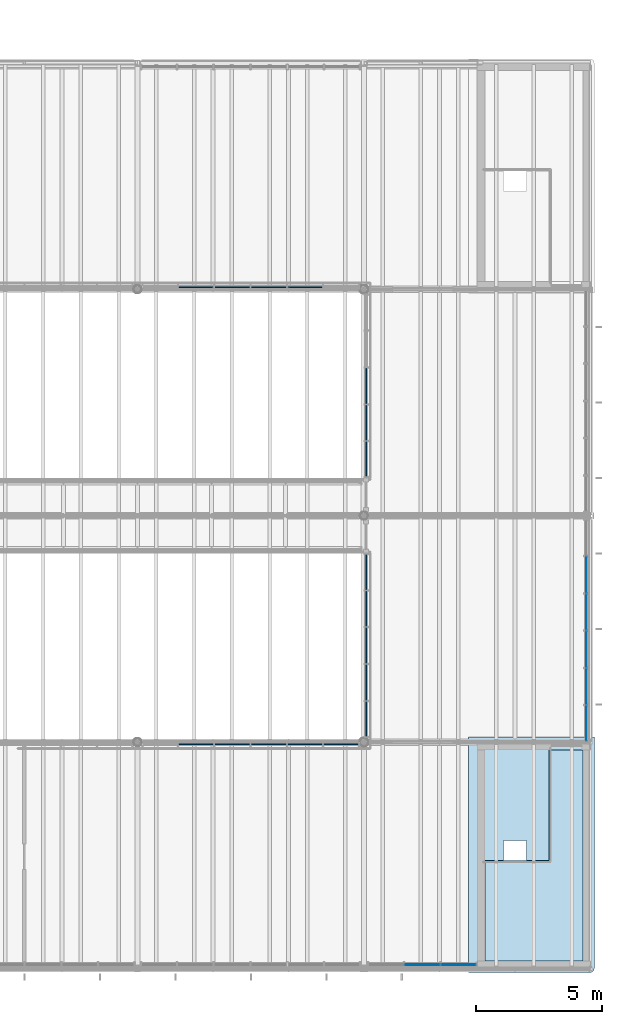
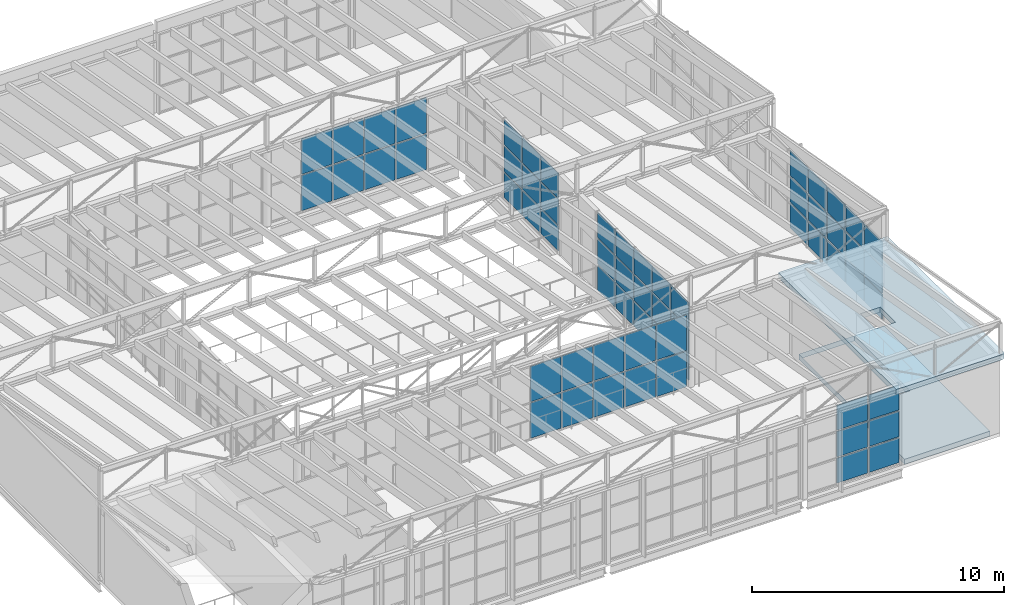
# One storey, part 32 of 44: 63 plates, 2 slabs, 6 elements without a shape of their own.
"""IFC4 building model written with IfcOpenShell, lengths in metres."""

from ifc_helpers import new_model, si_unit, direction, frame, origin, origin_2d, place, context, subcontext, project, spatial, polyline, rectangle, outline, extrude, material, layer, layer_set, type_object, element, aggregate, save


model = new_model("IFC4")

# Units and contexts
model_context = context("Model", 3, precision=1e-05, world=origin(), true_north=direction((0.0, 1.0)))
body_context = subcontext(model_context, "Body", "Model", "MODEL_VIEW")
ifc_project = project(units=[si_unit("LENGTHUNIT", "METRE"), si_unit("AREAUNIT", "SQUARE_METRE"), si_unit("VOLUMEUNIT", "CUBIC_METRE"), si_unit("PLANEANGLEUNIT", "RADIAN"), si_unit("MASSUNIT", "GRAM", prefix="KILO")], contexts=[model_context])

# Site, building, storey
site_placement = place(None, origin())
site = spatial("IfcSite", under=ifc_project, at=site_placement, CompositionType="ELEMENT")
building_placement = place(site_placement, origin())
building = spatial("IfcBuilding", under=site, at=building_placement, Name="Halyard Row Museum", CompositionType="ELEMENT")
storey_placement = place(building_placement, frame((0.0, 0.0, 21.199951171875)))
storey = spatial("IfcBuildingStorey", under=building, at=storey_placement, Name="L04", CompositionType="ELEMENT", Elevation=21.199951171875)

# Slabs
ifc_material_1 = material(Name="Concrete 40 MPa", Category="concrete")
ifc_layer_1 = layer(ifc_material_1, 0.25)
ifc_layer_set_1 = layer_set([ifc_layer_1], Name="Concrete 40 MPa")
slab_type_1 = type_object("IfcSlabType", Name="Core floor slab 250", PredefinedType="FLOOR", material=ifc_layer_set_1)
slab_1_placement = place(storey_placement, frame((0.0, 0.0, -0.25)))
element("IfcSlab", 1, at=slab_1_placement, inside=storey, type_object=slab_type_1, Name="Core floor K2B L04", PredefinedType="FLOOR", context=body_context, shape_type="SweptSolid", body=[
    extrude(outline(polyline([(107.699951171875, 8.699951171875), (103.800048828125, 8.699951171875), (103.800048828125, 0.300048828125), (107.699951171875, 0.300048828125), (107.699951171875, 8.699951171875)]), holes=[polyline([(106.346923828125, 8.697021484375), (106.346923828125, 4.302978515625), (103.802978515625, 4.302978515625), (103.802978515625, 8.697021484375), (106.346923828125, 8.697021484375)])]), origin(), (0.0, 0.0, 1.0), 0.25),
])
ifc_material_2 = material(Name="Concrete 40 MPa", Category="concrete")
ifc_layer_2 = layer(ifc_material_2, 0.25)
ifc_layer_set_2 = layer_set([ifc_layer_2], Name="Concrete 40 MPa")
slab_type_2 = type_object("IfcSlabType", Name="Core roof slab 250 reinforced concrete", PredefinedType="ROOF", material=ifc_layer_set_2)
slab_2_placement = place(storey_placement, frame((0.0, 0.0, 3.628173828125)))
element("IfcSlab", 2, at=slab_2_placement, inside=storey, type_object=slab_type_2, Name="Core roof K2B", PredefinedType="ROOF", context=body_context, shape_type="SweptSolid", body=[
    extrude(outline(polyline([(103.14990234375, 9.199951171875), (108.14990234375, 9.199951171875), (108.14990234375, 0.0), (108.149169921875, -0.0146484375), (108.147216796875, -0.029296875), (108.1435546875, -0.04345703125), (108.138671875, -0.057373046875), (108.13232421875, -0.07080078125), (108.124755859375, -0.083251953125), (108.115966796875, -0.09521484375), (108.10595703125, -0.10595703125), (108.09521484375, -0.115966796875), (108.083251953125, -0.124755859375), (108.07080078125, -0.13232421875), (108.057373046875, -0.138671875), (108.04345703125, -0.1435546875), (108.029296875, -0.147216796875), (108.0146484375, -0.149169921875), (108.0, -0.14990234375), (103.14990234375, -0.14990234375), (103.14990234375, 9.199951171875)]), holes=[polyline([(104.550048828125, 3.89990234375), (105.449951171875, 3.89990234375), (105.449951171875, 5.10009765625), (104.550048828125, 5.10009765625), (104.550048828125, 3.89990234375)])]), origin(), (0.0, 0.0, 1.0), 0.25),
])

# Curtain wall, plates
ifc_material_3 = material(Name="Double glazed unit, low-emissivity", Category="glass")
ifc_layer_3 = layer(ifc_material_3, 0.219970703125)
ifc_layer_set_3 = layer_set([ifc_layer_3], Name="Double glazed unit, low-emissivity")
curtain_wall_type_1 = type_object("IfcCurtainWallType", Name="Curtain wall unitised 220 deep", PredefinedType="NOTDEFINED", material=ifc_layer_set_3)
curtain_wall_1_placement = place(storey_placement, origin())
curtain_wall_1 = element("IfcCurtainWall", 3, at=curtain_wall_1_placement, inside=storey, type_object=curtain_wall_type_1, Name="Curtain wall CW058", PredefinedType="NOTDEFINED")
ifc_material_4 = material(Name="Double glazed unit, low-emissivity", Category="glass")
ifc_layer_4 = layer(ifc_material_4, 0.035888671875)
ifc_layer_set_4 = layer_set([ifc_layer_4], Name="Double glazed unit, low-emissivity")
plate_type_1 = type_object("IfcPlateType", Name="Curtain wall glazed panel CP3 36", PredefinedType="CURTAIN_PANEL", material=ifc_layer_set_4)
plate_1_placement = place(storey_placement, frame((101.3125, 0.159912109375, 0.06005859375), z_axis=(0.0, 0.0, 1.0), x_axis=(1.0, 0.0, 0.0)))
plate_1 = element("IfcPlate", 4, at=plate_1_placement, type_object=plate_type_1, Name="CW058 panel 2.1", PredefinedType="CURTAIN_PANEL", context=body_context, shape_type="SweptSolid", body=[
    extrude(rectangle(XDim=1.3984375, YDim=0.035888671875, at=origin_2d()), origin(), (0.0, 0.0, 1.0), 1.20263671875),
])
plate_2_placement = place(storey_placement, frame((101.3125, 0.159912109375, 1.32275390625), z_axis=(0.0, 0.0, 1.0), x_axis=(1.0, 0.0, 0.0)))
plate_2 = element("IfcPlate", 5, at=plate_2_placement, type_object=plate_type_1, Name="CW058 panel 2.2", PredefinedType="CURTAIN_PANEL", context=body_context, shape_type="SweptSolid", body=[
    extrude(rectangle(XDim=1.3984375, YDim=0.035888671875, at=origin_2d()), origin(), (0.0, 0.0, 1.0), 1.232666015625),
])
plate_3_placement = place(storey_placement, frame((101.3125, 0.159912109375, 2.615478515625), z_axis=(0.0, 0.0, 1.0), x_axis=(1.0, 0.0, 0.0)))
plate_3 = element("IfcPlate", 6, at=plate_3_placement, type_object=plate_type_1, Name="CW058 panel 2.3", PredefinedType="CURTAIN_PANEL", context=body_context, shape_type="SweptSolid", body=[
    extrude(rectangle(XDim=1.3984375, YDim=0.035888671875, at=origin_2d()), origin(), (0.0, 0.0, 1.0), 1.20263671875),
])
plate_4_placement = place(storey_placement, frame((102.755859375, 0.159912109375, 0.06005859375), z_axis=(0.0, 0.0, 1.0), x_axis=(1.0, 0.0, 0.0)))
plate_4 = element("IfcPlate", 7, at=plate_4_placement, type_object=plate_type_1, Name="CW058 panel 3.1", PredefinedType="CURTAIN_PANEL", context=body_context, shape_type="SweptSolid", body=[
    extrude(rectangle(XDim=1.368408203125, YDim=0.035888671875, at=origin_2d()), origin(), (0.0, 0.0, 1.0), 1.20263671875),
])
plate_5_placement = place(storey_placement, frame((102.755859375, 0.159912109375, 1.32275390625), z_axis=(0.0, 0.0, 1.0), x_axis=(1.0, 0.0, 0.0)))
plate_5 = element("IfcPlate", 8, at=plate_5_placement, type_object=plate_type_1, Name="CW058 panel 3.2", PredefinedType="CURTAIN_PANEL", context=body_context, shape_type="SweptSolid", body=[
    extrude(rectangle(XDim=1.368408203125, YDim=0.035888671875, at=origin_2d()), origin(), (0.0, 0.0, 1.0), 1.232666015625),
])
plate_6_placement = place(storey_placement, frame((102.755859375, 0.159912109375, 2.615478515625), z_axis=(0.0, 0.0, 1.0), x_axis=(1.0, 0.0, 0.0)))
plate_6 = element("IfcPlate", 9, at=plate_6_placement, type_object=plate_type_1, Name="CW058 panel 3.3", PredefinedType="CURTAIN_PANEL", context=body_context, shape_type="SweptSolid", body=[
    extrude(rectangle(XDim=1.368408203125, YDim=0.035888671875, at=origin_2d()), origin(), (0.0, 0.0, 1.0), 1.20263671875),
])
aggregate(curtain_wall_1, [plate_1, plate_2, plate_3, plate_4, plate_5, plate_6])

curtain_wall_2_placement = place(storey_placement, origin())
curtain_wall_2 = element("IfcCurtainWall", 10, at=curtain_wall_2_placement, inside=storey, type_object=curtain_wall_type_1, Name="Curtain wall CW059", PredefinedType="NOTDEFINED")
plate_7_placement = place(storey_placement, frame((107.840087890625, 9.754638671875, 0.06005859375), z_axis=(0.0, 0.0, 1.0), x_axis=(0.0, 1.0, 0.0)))
plate_7 = element("IfcPlate", 11, at=plate_7_placement, type_object=plate_type_1, Name="CW059 panel 1.1", PredefinedType="CURTAIN_PANEL", context=body_context, shape_type="SweptSolid", body=[
    extrude(rectangle(XDim=1.38916015625, YDim=0.035888671875, at=origin_2d()), origin(), (0.0, 0.0, 1.0), 1.20263671875),
])
plate_8_placement = place(storey_placement, frame((107.840087890625, 9.754638671875, 1.32275390625), z_axis=(0.0, 0.0, 1.0), x_axis=(0.0, 1.0, 0.0)))
plate_8 = element("IfcPlate", 12, at=plate_8_placement, type_object=plate_type_1, Name="CW059 panel 1.2", PredefinedType="CURTAIN_PANEL", context=body_context, shape_type="SweptSolid", body=[
    extrude(rectangle(XDim=1.38916015625, YDim=0.035888671875, at=origin_2d()), origin(), (0.0, 0.0, 1.0), 1.232666015625),
])
plate_9_placement = place(storey_placement, frame((107.840087890625, 9.754638671875, 2.615478515625), z_axis=(0.0, 0.0, 1.0), x_axis=(0.0, 1.0, 0.0)))
plate_9 = element("IfcPlate", 13, at=plate_9_placement, type_object=plate_type_1, Name="CW059 panel 1.3", PredefinedType="CURTAIN_PANEL", context=body_context, shape_type="SweptSolid", body=[
    extrude(rectangle(XDim=1.38916015625, YDim=0.035888671875, at=origin_2d()), origin(), (0.0, 0.0, 1.0), 1.20263671875),
])
plate_10_placement = place(storey_placement, frame((107.840087890625, 11.21875, 0.06005859375), z_axis=(0.0, 0.0, 1.0), x_axis=(0.0, 1.0, 0.0)))
plate_10 = element("IfcPlate", 14, at=plate_10_placement, type_object=plate_type_1, Name="CW059 panel 2.1", PredefinedType="CURTAIN_PANEL", context=body_context, shape_type="SweptSolid", body=[
    extrude(rectangle(XDim=1.419189453125, YDim=0.035888671875, at=origin_2d()), origin(), (0.0, 0.0, 1.0), 1.20263671875),
])
plate_11_placement = place(storey_placement, frame((107.840087890625, 11.21875, 1.32275390625), z_axis=(0.0, 0.0, 1.0), x_axis=(0.0, 1.0, 0.0)))
plate_11 = element("IfcPlate", 15, at=plate_11_placement, type_object=plate_type_1, Name="CW059 panel 2.2", PredefinedType="CURTAIN_PANEL", context=body_context, shape_type="SweptSolid", body=[
    extrude(rectangle(XDim=1.419189453125, YDim=0.035888671875, at=origin_2d()), origin(), (0.0, 0.0, 1.0), 1.232666015625),
])
plate_12_placement = place(storey_placement, frame((107.840087890625, 11.21875, 2.615478515625), z_axis=(0.0, 0.0, 1.0), x_axis=(0.0, 1.0, 0.0)))
plate_12 = element("IfcPlate", 16, at=plate_12_placement, type_object=plate_type_1, Name="CW059 panel 2.3", PredefinedType="CURTAIN_PANEL", context=body_context, shape_type="SweptSolid", body=[
    extrude(rectangle(XDim=1.419189453125, YDim=0.035888671875, at=origin_2d()), origin(), (0.0, 0.0, 1.0), 1.20263671875),
])
plate_13_placement = place(storey_placement, frame((107.840087890625, 12.697998046875, 0.06005859375), z_axis=(0.0, 0.0, 1.0), x_axis=(0.0, 1.0, 0.0)))
plate_13 = element("IfcPlate", 17, at=plate_13_placement, type_object=plate_type_1, Name="CW059 panel 3.1", PredefinedType="CURTAIN_PANEL", context=body_context, shape_type="SweptSolid", body=[
    extrude(rectangle(XDim=1.419189453125, YDim=0.035888671875, at=origin_2d()), origin(), (0.0, 0.0, 1.0), 1.20263671875),
])
plate_14_placement = place(storey_placement, frame((107.840087890625, 12.697998046875, 1.32275390625), z_axis=(0.0, 0.0, 1.0), x_axis=(0.0, 1.0, 0.0)))
plate_14 = element("IfcPlate", 18, at=plate_14_placement, type_object=plate_type_1, Name="CW059 panel 3.2", PredefinedType="CURTAIN_PANEL", context=body_context, shape_type="SweptSolid", body=[
    extrude(rectangle(XDim=1.419189453125, YDim=0.035888671875, at=origin_2d()), origin(), (0.0, 0.0, 1.0), 1.232666015625),
])
plate_15_placement = place(storey_placement, frame((107.840087890625, 12.697998046875, 2.615478515625), z_axis=(0.0, 0.0, 1.0), x_axis=(0.0, 1.0, 0.0)))
plate_15 = element("IfcPlate", 19, at=plate_15_placement, type_object=plate_type_1, Name="CW059 panel 3.3", PredefinedType="CURTAIN_PANEL", context=body_context, shape_type="SweptSolid", body=[
    extrude(rectangle(XDim=1.419189453125, YDim=0.035888671875, at=origin_2d()), origin(), (0.0, 0.0, 1.0), 1.20263671875),
])
plate_16_placement = place(storey_placement, frame((107.840087890625, 14.177001953125, 0.06005859375), z_axis=(0.0, 0.0, 1.0), x_axis=(0.0, 1.0, 0.0)))
plate_16 = element("IfcPlate", 20, at=plate_16_placement, type_object=plate_type_1, Name="CW059 panel 4.1", PredefinedType="CURTAIN_PANEL", context=body_context, shape_type="SweptSolid", body=[
    extrude(rectangle(XDim=1.419189453125, YDim=0.035888671875, at=origin_2d()), origin(), (0.0, 0.0, 1.0), 1.20263671875),
])
plate_17_placement = place(storey_placement, frame((107.840087890625, 14.177001953125, 1.32275390625), z_axis=(0.0, 0.0, 1.0), x_axis=(0.0, 1.0, 0.0)))
plate_17 = element("IfcPlate", 21, at=plate_17_placement, type_object=plate_type_1, Name="CW059 panel 4.2", PredefinedType="CURTAIN_PANEL", context=body_context, shape_type="SweptSolid", body=[
    extrude(rectangle(XDim=1.419189453125, YDim=0.035888671875, at=origin_2d()), origin(), (0.0, 0.0, 1.0), 1.232666015625),
])
plate_18_placement = place(storey_placement, frame((107.840087890625, 14.177001953125, 2.615478515625), z_axis=(0.0, 0.0, 1.0), x_axis=(0.0, 1.0, 0.0)))
plate_18 = element("IfcPlate", 22, at=plate_18_placement, type_object=plate_type_1, Name="CW059 panel 4.3", PredefinedType="CURTAIN_PANEL", context=body_context, shape_type="SweptSolid", body=[
    extrude(rectangle(XDim=1.419189453125, YDim=0.035888671875, at=origin_2d()), origin(), (0.0, 0.0, 1.0), 1.20263671875),
])
plate_19_placement = place(storey_placement, frame((107.840087890625, 15.65625, 0.06005859375), z_axis=(0.0, 0.0, 1.0), x_axis=(0.0, 1.0, 0.0)))
plate_19 = element("IfcPlate", 23, at=plate_19_placement, type_object=plate_type_1, Name="CW059 panel 5.1", PredefinedType="CURTAIN_PANEL", context=body_context, shape_type="SweptSolid", body=[
    extrude(rectangle(XDim=1.419189453125, YDim=0.035888671875, at=origin_2d()), origin(), (0.0, 0.0, 1.0), 1.20263671875),
])
plate_20_placement = place(storey_placement, frame((107.840087890625, 15.65625, 1.32275390625), z_axis=(0.0, 0.0, 1.0), x_axis=(0.0, 1.0, 0.0)))
plate_20 = element("IfcPlate", 24, at=plate_20_placement, type_object=plate_type_1, Name="CW059 panel 5.2", PredefinedType="CURTAIN_PANEL", context=body_context, shape_type="SweptSolid", body=[
    extrude(rectangle(XDim=1.419189453125, YDim=0.035888671875, at=origin_2d()), origin(), (0.0, 0.0, 1.0), 1.232666015625),
])
plate_21_placement = place(storey_placement, frame((107.840087890625, 15.65625, 2.615478515625), z_axis=(0.0, 0.0, 1.0), x_axis=(0.0, 1.0, 0.0)))
plate_21 = element("IfcPlate", 25, at=plate_21_placement, type_object=plate_type_1, Name="CW059 panel 5.3", PredefinedType="CURTAIN_PANEL", context=body_context, shape_type="SweptSolid", body=[
    extrude(rectangle(XDim=1.419189453125, YDim=0.035888671875, at=origin_2d()), origin(), (0.0, 0.0, 1.0), 1.20263671875),
])
aggregate(curtain_wall_2, [plate_7, plate_8, plate_9, plate_10, plate_11, plate_12, plate_13, plate_14, plate_15, plate_16, plate_17, plate_18, plate_19, plate_20, plate_21])

ifc_material_5 = material(Name="Fire-resisting laminated glazing", Category="glass")
ifc_layer_5 = layer(ifc_material_5, 0.159912109375)
ifc_layer_set_5 = layer_set([ifc_layer_5], Name="Fire-resisting laminated glazing")
curtain_wall_type_2 = type_object("IfcCurtainWallType", Name="Curtain wall atrium screen 160 deep", PredefinedType="NOTDEFINED", material=ifc_layer_set_5)
curtain_wall_3_placement = place(storey_placement, origin())
curtain_wall_3 = element("IfcCurtainWall", 26, at=curtain_wall_3_placement, inside=storey, type_object=curtain_wall_type_2, Name="Curtain wall CW103", PredefinedType="NOTDEFINED")
ifc_material_6 = material(Name="Fire-resisting laminated glazing", Category="glass")
ifc_layer_6 = layer(ifc_material_6, 0.0400390625)
ifc_layer_set_6 = layer_set([ifc_layer_6], Name="Fire-resisting laminated glazing")
plate_type_2 = type_object("IfcPlateType", Name="Curtain wall glazed panel CP5 40", PredefinedType="CURTAIN_PANEL", material=ifc_layer_set_6)
plate_22_placement = place(storey_placement, frame((92.326904296875, 8.919921875, 0.06005859375), z_axis=(0.0, 0.0, 1.0), x_axis=(1.0, 0.0, 0.0)))
plate_22 = element("IfcPlate", 27, at=plate_22_placement, type_object=plate_type_2, Name="CW103 panel 2.1", PredefinedType="CURTAIN_PANEL", context=body_context, shape_type="SweptSolid", body=[
    extrude(rectangle(XDim=1.38330078125, YDim=0.0400390625, at=origin_2d()), origin(), (0.0, 0.0, 1.0), 1.7099609375),
])
plate_23_placement = place(storey_placement, frame((92.326904296875, 8.919921875, 1.830078125), z_axis=(0.0, 0.0, 1.0), x_axis=(1.0, 0.0, 0.0)))
plate_23 = element("IfcPlate", 28, at=plate_23_placement, type_object=plate_type_2, Name="CW103 panel 2.2", PredefinedType="CURTAIN_PANEL", context=body_context, shape_type="SweptSolid", body=[
    extrude(rectangle(XDim=1.38330078125, YDim=0.0400390625, at=origin_2d()), origin(), (0.0, 0.0, 1.0), 1.7099609375),
])
plate_24_placement = place(storey_placement, frame((93.7705078125, 8.919921875, 0.06005859375), z_axis=(0.0, 0.0, 1.0), x_axis=(1.0, 0.0, 0.0)))
plate_24 = element("IfcPlate", 29, at=plate_24_placement, type_object=plate_type_2, Name="CW103 panel 3.1", PredefinedType="CURTAIN_PANEL", context=body_context, shape_type="SweptSolid", body=[
    extrude(rectangle(XDim=1.38330078125, YDim=0.0400390625, at=origin_2d()), origin(), (0.0, 0.0, 1.0), 1.7099609375),
])
plate_25_placement = place(storey_placement, frame((93.7705078125, 8.919921875, 1.830078125), z_axis=(0.0, 0.0, 1.0), x_axis=(1.0, 0.0, 0.0)))
plate_25 = element("IfcPlate", 30, at=plate_25_placement, type_object=plate_type_2, Name="CW103 panel 3.2", PredefinedType="CURTAIN_PANEL", context=body_context, shape_type="SweptSolid", body=[
    extrude(rectangle(XDim=1.38330078125, YDim=0.0400390625, at=origin_2d()), origin(), (0.0, 0.0, 1.0), 1.7099609375),
])
plate_26_placement = place(storey_placement, frame((95.2138671875, 8.919921875, 0.06005859375), z_axis=(0.0, 0.0, 1.0), x_axis=(1.0, 0.0, 0.0)))
plate_26 = element("IfcPlate", 31, at=plate_26_placement, type_object=plate_type_2, Name="CW103 panel 4.1", PredefinedType="CURTAIN_PANEL", context=body_context, shape_type="SweptSolid", body=[
    extrude(rectangle(XDim=1.38330078125, YDim=0.0400390625, at=origin_2d()), origin(), (0.0, 0.0, 1.0), 1.7099609375),
])
plate_27_placement = place(storey_placement, frame((95.2138671875, 8.919921875, 1.830078125), z_axis=(0.0, 0.0, 1.0), x_axis=(1.0, 0.0, 0.0)))
plate_27 = element("IfcPlate", 32, at=plate_27_placement, type_object=plate_type_2, Name="CW103 panel 4.2", PredefinedType="CURTAIN_PANEL", context=body_context, shape_type="SweptSolid", body=[
    extrude(rectangle(XDim=1.38330078125, YDim=0.0400390625, at=origin_2d()), origin(), (0.0, 0.0, 1.0), 1.7099609375),
])
plate_28_placement = place(storey_placement, frame((96.6572265625, 8.919921875, 0.06005859375), z_axis=(0.0, 0.0, 1.0), x_axis=(1.0, 0.0, 0.0)))
plate_28 = element("IfcPlate", 33, at=plate_28_placement, type_object=plate_type_2, Name="CW103 panel 5.1", PredefinedType="CURTAIN_PANEL", context=body_context, shape_type="SweptSolid", body=[
    extrude(rectangle(XDim=1.38330078125, YDim=0.0400390625, at=origin_2d()), origin(), (0.0, 0.0, 1.0), 1.7099609375),
])
plate_29_placement = place(storey_placement, frame((96.6572265625, 8.919921875, 1.830078125), z_axis=(0.0, 0.0, 1.0), x_axis=(1.0, 0.0, 0.0)))
plate_29 = element("IfcPlate", 34, at=plate_29_placement, type_object=plate_type_2, Name="CW103 panel 5.2", PredefinedType="CURTAIN_PANEL", context=body_context, shape_type="SweptSolid", body=[
    extrude(rectangle(XDim=1.38330078125, YDim=0.0400390625, at=origin_2d()), origin(), (0.0, 0.0, 1.0), 1.7099609375),
])
plate_30_placement = place(storey_placement, frame((98.08544921875, 8.919921875, 0.06005859375), z_axis=(0.0, 0.0, 1.0), x_axis=(1.0, 0.0, 0.0)))
plate_30 = element("IfcPlate", 35, at=plate_30_placement, type_object=plate_type_2, Name="CW103 panel 6.1", PredefinedType="CURTAIN_PANEL", context=body_context, shape_type="SweptSolid", body=[
    extrude(rectangle(XDim=1.353271484375, YDim=0.0400390625, at=origin_2d()), origin(), (0.0, 0.0, 1.0), 1.7099609375),
])
plate_31_placement = place(storey_placement, frame((98.08544921875, 8.919921875, 1.830078125), z_axis=(0.0, 0.0, 1.0), x_axis=(1.0, 0.0, 0.0)))
plate_31 = element("IfcPlate", 36, at=plate_31_placement, type_object=plate_type_2, Name="CW103 panel 6.2", PredefinedType="CURTAIN_PANEL", context=body_context, shape_type="SweptSolid", body=[
    extrude(rectangle(XDim=1.353271484375, YDim=0.0400390625, at=origin_2d()), origin(), (0.0, 0.0, 1.0), 1.7099609375),
])
aggregate(curtain_wall_3, [plate_22, plate_23, plate_24, plate_25, plate_26, plate_27, plate_28, plate_29, plate_30, plate_31])

curtain_wall_4_placement = place(storey_placement, origin())
curtain_wall_4 = element("IfcCurtainWall", 37, at=curtain_wall_4_placement, inside=storey, type_object=curtain_wall_type_2, Name="Curtain wall CW104", PredefinedType="NOTDEFINED")
plate_32_placement = place(storey_placement, frame((99.080078125, 9.925048828125, 0.06005859375), z_axis=(0.0, 0.0, 1.0), x_axis=(0.0, 1.0, 0.0)))
plate_32 = element("IfcPlate", 38, at=plate_32_placement, type_object=plate_type_2, Name="CW104 panel 1.1", PredefinedType="CURTAIN_PANEL", context=body_context, shape_type="SweptSolid", body=[
    extrude(rectangle(XDim=1.37451171875, YDim=0.0400390625, at=origin_2d()), origin(), (0.0, 0.0, 1.0), 1.20263671875),
])
plate_33_placement = place(storey_placement, frame((99.080078125, 9.925048828125, 1.32275390625), z_axis=(0.0, 0.0, 1.0), x_axis=(0.0, 1.0, 0.0)))
plate_33 = element("IfcPlate", 39, at=plate_33_placement, type_object=plate_type_2, Name="CW104 panel 1.2", PredefinedType="CURTAIN_PANEL", context=body_context, shape_type="SweptSolid", body=[
    extrude(rectangle(XDim=1.37451171875, YDim=0.0400390625, at=origin_2d()), origin(), (0.0, 0.0, 1.0), 1.232666015625),
])
plate_34_placement = place(storey_placement, frame((99.080078125, 9.925048828125, 2.615478515625), z_axis=(0.0, 0.0, 1.0), x_axis=(0.0, 1.0, 0.0)))
plate_34 = element("IfcPlate", 40, at=plate_34_placement, type_object=plate_type_2, Name="CW104 panel 1.3", PredefinedType="CURTAIN_PANEL", context=body_context, shape_type="SweptSolid", body=[
    extrude(rectangle(XDim=1.37451171875, YDim=0.0400390625, at=origin_2d()), origin(), (0.0, 0.0, 1.0), 1.20263671875),
])
plate_35_placement = place(storey_placement, frame((99.080078125, 11.37451171875, 0.06005859375), z_axis=(0.0, 0.0, 1.0), x_axis=(0.0, 1.0, 0.0)))
plate_35 = element("IfcPlate", 41, at=plate_35_placement, type_object=plate_type_2, Name="CW104 panel 2.1", PredefinedType="CURTAIN_PANEL", context=body_context, shape_type="SweptSolid", body=[
    extrude(rectangle(XDim=1.404541015625, YDim=0.0400390625, at=origin_2d()), origin(), (0.0, 0.0, 1.0), 1.20263671875),
])
plate_36_placement = place(storey_placement, frame((99.080078125, 11.37451171875, 1.32275390625), z_axis=(0.0, 0.0, 1.0), x_axis=(0.0, 1.0, 0.0)))
plate_36 = element("IfcPlate", 42, at=plate_36_placement, type_object=plate_type_2, Name="CW104 panel 2.2", PredefinedType="CURTAIN_PANEL", context=body_context, shape_type="SweptSolid", body=[
    extrude(rectangle(XDim=1.404541015625, YDim=0.0400390625, at=origin_2d()), origin(), (0.0, 0.0, 1.0), 1.232666015625),
])
plate_37_placement = place(storey_placement, frame((99.080078125, 11.37451171875, 2.615478515625), z_axis=(0.0, 0.0, 1.0), x_axis=(0.0, 1.0, 0.0)))
plate_37 = element("IfcPlate", 43, at=plate_37_placement, type_object=plate_type_2, Name="CW104 panel 2.3", PredefinedType="CURTAIN_PANEL", context=body_context, shape_type="SweptSolid", body=[
    extrude(rectangle(XDim=1.404541015625, YDim=0.0400390625, at=origin_2d()), origin(), (0.0, 0.0, 1.0), 1.20263671875),
])
plate_38_placement = place(storey_placement, frame((99.080078125, 12.8388671875, 0.06005859375), z_axis=(0.0, 0.0, 1.0), x_axis=(0.0, 1.0, 0.0)))
plate_38 = element("IfcPlate", 44, at=plate_38_placement, type_object=plate_type_2, Name="CW104 panel 3.1", PredefinedType="CURTAIN_PANEL", context=body_context, shape_type="SweptSolid", body=[
    extrude(rectangle(XDim=1.404541015625, YDim=0.0400390625, at=origin_2d()), origin(), (0.0, 0.0, 1.0), 1.20263671875),
])
plate_39_placement = place(storey_placement, frame((99.080078125, 12.8388671875, 1.32275390625), z_axis=(0.0, 0.0, 1.0), x_axis=(0.0, 1.0, 0.0)))
plate_39 = element("IfcPlate", 45, at=plate_39_placement, type_object=plate_type_2, Name="CW104 panel 3.2", PredefinedType="CURTAIN_PANEL", context=body_context, shape_type="SweptSolid", body=[
    extrude(rectangle(XDim=1.404541015625, YDim=0.0400390625, at=origin_2d()), origin(), (0.0, 0.0, 1.0), 1.232666015625),
])
plate_40_placement = place(storey_placement, frame((99.080078125, 12.8388671875, 2.615478515625), z_axis=(0.0, 0.0, 1.0), x_axis=(0.0, 1.0, 0.0)))
plate_40 = element("IfcPlate", 46, at=plate_40_placement, type_object=plate_type_2, Name="CW104 panel 3.3", PredefinedType="CURTAIN_PANEL", context=body_context, shape_type="SweptSolid", body=[
    extrude(rectangle(XDim=1.404541015625, YDim=0.0400390625, at=origin_2d()), origin(), (0.0, 0.0, 1.0), 1.20263671875),
])
plate_41_placement = place(storey_placement, frame((99.080078125, 14.30322265625, 0.06005859375), z_axis=(0.0, 0.0, 1.0), x_axis=(0.0, 1.0, 0.0)))
plate_41 = element("IfcPlate", 47, at=plate_41_placement, type_object=plate_type_2, Name="CW104 panel 4.1", PredefinedType="CURTAIN_PANEL", context=body_context, shape_type="SweptSolid", body=[
    extrude(rectangle(XDim=1.404541015625, YDim=0.0400390625, at=origin_2d()), origin(), (0.0, 0.0, 1.0), 1.20263671875),
])
plate_42_placement = place(storey_placement, frame((99.080078125, 14.30322265625, 1.32275390625), z_axis=(0.0, 0.0, 1.0), x_axis=(0.0, 1.0, 0.0)))
plate_42 = element("IfcPlate", 48, at=plate_42_placement, type_object=plate_type_2, Name="CW104 panel 4.2", PredefinedType="CURTAIN_PANEL", context=body_context, shape_type="SweptSolid", body=[
    extrude(rectangle(XDim=1.404541015625, YDim=0.0400390625, at=origin_2d()), origin(), (0.0, 0.0, 1.0), 1.232666015625),
])
plate_43_placement = place(storey_placement, frame((99.080078125, 14.30322265625, 2.615478515625), z_axis=(0.0, 0.0, 1.0), x_axis=(0.0, 1.0, 0.0)))
plate_43 = element("IfcPlate", 49, at=plate_43_placement, type_object=plate_type_2, Name="CW104 panel 4.3", PredefinedType="CURTAIN_PANEL", context=body_context, shape_type="SweptSolid", body=[
    extrude(rectangle(XDim=1.404541015625, YDim=0.0400390625, at=origin_2d()), origin(), (0.0, 0.0, 1.0), 1.20263671875),
])
plate_44_placement = place(storey_placement, frame((99.080078125, 15.752685546875, 0.06005859375), z_axis=(0.0, 0.0, 1.0), x_axis=(0.0, 1.0, 0.0)))
plate_44 = element("IfcPlate", 50, at=plate_44_placement, type_object=plate_type_2, Name="CW104 panel 5.1", PredefinedType="CURTAIN_PANEL", context=body_context, shape_type="SweptSolid", body=[
    extrude(rectangle(XDim=1.37451171875, YDim=0.0400390625, at=origin_2d()), origin(), (0.0, 0.0, 1.0), 1.20263671875),
])
plate_45_placement = place(storey_placement, frame((99.080078125, 15.752685546875, 1.32275390625), z_axis=(0.0, 0.0, 1.0), x_axis=(0.0, 1.0, 0.0)))
plate_45 = element("IfcPlate", 51, at=plate_45_placement, type_object=plate_type_2, Name="CW104 panel 5.2", PredefinedType="CURTAIN_PANEL", context=body_context, shape_type="SweptSolid", body=[
    extrude(rectangle(XDim=1.37451171875, YDim=0.0400390625, at=origin_2d()), origin(), (0.0, 0.0, 1.0), 1.232666015625),
])
plate_46_placement = place(storey_placement, frame((99.080078125, 15.752685546875, 2.615478515625), z_axis=(0.0, 0.0, 1.0), x_axis=(0.0, 1.0, 0.0)))
plate_46 = element("IfcPlate", 52, at=plate_46_placement, type_object=plate_type_2, Name="CW104 panel 5.3", PredefinedType="CURTAIN_PANEL", context=body_context, shape_type="SweptSolid", body=[
    extrude(rectangle(XDim=1.37451171875, YDim=0.0400390625, at=origin_2d()), origin(), (0.0, 0.0, 1.0), 1.20263671875),
])
aggregate(curtain_wall_4, [plate_32, plate_33, plate_34, plate_35, plate_36, plate_37, plate_38, plate_39, plate_40, plate_41, plate_42, plate_43, plate_44, plate_45, plate_46])

curtain_wall_5_placement = place(storey_placement, origin())
curtain_wall_5 = element("IfcCurtainWall", 53, at=curtain_wall_5_placement, inside=storey, type_object=curtain_wall_type_2, Name="Curtain wall CW105", PredefinedType="NOTDEFINED")
plate_47_placement = place(storey_placement, frame((99.080078125, 20.247314453125, 0.06005859375), z_axis=(0.0, 0.0, 1.0), x_axis=(0.0, 1.0, 0.0)))
plate_47 = element("IfcPlate", 54, at=plate_47_placement, type_object=plate_type_2, Name="CW105 panel 1.1", PredefinedType="CURTAIN_PANEL", context=body_context, shape_type="SweptSolid", body=[
    extrude(rectangle(XDim=1.37451171875, YDim=0.0400390625, at=origin_2d()), origin(), (0.0, 0.0, 1.0), 1.20263671875),
])
plate_48_placement = place(storey_placement, frame((99.080078125, 20.247314453125, 1.32275390625), z_axis=(0.0, 0.0, 1.0), x_axis=(0.0, 1.0, 0.0)))
plate_48 = element("IfcPlate", 55, at=plate_48_placement, type_object=plate_type_2, Name="CW105 panel 1.2", PredefinedType="CURTAIN_PANEL", context=body_context, shape_type="SweptSolid", body=[
    extrude(rectangle(XDim=1.37451171875, YDim=0.0400390625, at=origin_2d()), origin(), (0.0, 0.0, 1.0), 1.232666015625),
])
plate_49_placement = place(storey_placement, frame((99.080078125, 20.247314453125, 2.615478515625), z_axis=(0.0, 0.0, 1.0), x_axis=(0.0, 1.0, 0.0)))
plate_49 = element("IfcPlate", 56, at=plate_49_placement, type_object=plate_type_2, Name="CW105 panel 1.3", PredefinedType="CURTAIN_PANEL", context=body_context, shape_type="SweptSolid", body=[
    extrude(rectangle(XDim=1.37451171875, YDim=0.0400390625, at=origin_2d()), origin(), (0.0, 0.0, 1.0), 1.20263671875),
])
plate_50_placement = place(storey_placement, frame((99.080078125, 21.69677734375, 0.06005859375), z_axis=(0.0, 0.0, 1.0), x_axis=(0.0, 1.0, 0.0)))
plate_50 = element("IfcPlate", 57, at=plate_50_placement, type_object=plate_type_2, Name="CW105 panel 2.1", PredefinedType="CURTAIN_PANEL", context=body_context, shape_type="SweptSolid", body=[
    extrude(rectangle(XDim=1.404541015625, YDim=0.0400390625, at=origin_2d()), origin(), (0.0, 0.0, 1.0), 1.20263671875),
])
plate_51_placement = place(storey_placement, frame((99.080078125, 21.69677734375, 1.32275390625), z_axis=(0.0, 0.0, 1.0), x_axis=(0.0, 1.0, 0.0)))
plate_51 = element("IfcPlate", 58, at=plate_51_placement, type_object=plate_type_2, Name="CW105 panel 2.2", PredefinedType="CURTAIN_PANEL", context=body_context, shape_type="SweptSolid", body=[
    extrude(rectangle(XDim=1.404541015625, YDim=0.0400390625, at=origin_2d()), origin(), (0.0, 0.0, 1.0), 1.232666015625),
])
plate_52_placement = place(storey_placement, frame((99.080078125, 21.69677734375, 2.615478515625), z_axis=(0.0, 0.0, 1.0), x_axis=(0.0, 1.0, 0.0)))
plate_52 = element("IfcPlate", 59, at=plate_52_placement, type_object=plate_type_2, Name="CW105 panel 2.3", PredefinedType="CURTAIN_PANEL", context=body_context, shape_type="SweptSolid", body=[
    extrude(rectangle(XDim=1.404541015625, YDim=0.0400390625, at=origin_2d()), origin(), (0.0, 0.0, 1.0), 1.20263671875),
])
plate_53_placement = place(storey_placement, frame((99.080078125, 23.1611328125, 0.06005859375), z_axis=(0.0, 0.0, 1.0), x_axis=(0.0, 1.0, 0.0)))
plate_53 = element("IfcPlate", 60, at=plate_53_placement, type_object=plate_type_2, Name="CW105 panel 3.1", PredefinedType="CURTAIN_PANEL", context=body_context, shape_type="SweptSolid", body=[
    extrude(rectangle(XDim=1.404541015625, YDim=0.0400390625, at=origin_2d()), origin(), (0.0, 0.0, 1.0), 1.20263671875),
])
plate_54_placement = place(storey_placement, frame((99.080078125, 23.1611328125, 1.32275390625), z_axis=(0.0, 0.0, 1.0), x_axis=(0.0, 1.0, 0.0)))
plate_54 = element("IfcPlate", 61, at=plate_54_placement, type_object=plate_type_2, Name="CW105 panel 3.2", PredefinedType="CURTAIN_PANEL", context=body_context, shape_type="SweptSolid", body=[
    extrude(rectangle(XDim=1.404541015625, YDim=0.0400390625, at=origin_2d()), origin(), (0.0, 0.0, 1.0), 1.232666015625),
])
plate_55_placement = place(storey_placement, frame((99.080078125, 23.1611328125, 2.615478515625), z_axis=(0.0, 0.0, 1.0), x_axis=(0.0, 1.0, 0.0)))
plate_55 = element("IfcPlate", 62, at=plate_55_placement, type_object=plate_type_2, Name="CW105 panel 3.3", PredefinedType="CURTAIN_PANEL", context=body_context, shape_type="SweptSolid", body=[
    extrude(rectangle(XDim=1.404541015625, YDim=0.0400390625, at=origin_2d()), origin(), (0.0, 0.0, 1.0), 1.20263671875),
])
aggregate(curtain_wall_5, [plate_47, plate_48, plate_49, plate_50, plate_51, plate_52, plate_53, plate_54, plate_55])

curtain_wall_6_placement = place(storey_placement, origin())
curtain_wall_6 = element("IfcCurtainWall", 63, at=curtain_wall_6_placement, inside=storey, type_object=curtain_wall_type_2, Name="Curtain wall CW106", PredefinedType="NOTDEFINED")
plate_56_placement = place(storey_placement, frame((96.6572265625, 27.080078125, 0.06005859375), z_axis=(0.0, 0.0, 1.0), x_axis=(-1.0, 0.0, 0.0)))
plate_56 = element("IfcPlate", 64, at=plate_56_placement, type_object=plate_type_2, Name="CW106 panel 2.1", PredefinedType="CURTAIN_PANEL", context=body_context, shape_type="SweptSolid", body=[
    extrude(rectangle(XDim=1.38330078125, YDim=0.0400390625, at=origin_2d()), origin(), (0.0, 0.0, 1.0), 1.7099609375),
])
plate_57_placement = place(storey_placement, frame((96.6572265625, 27.080078125, 1.830078125), z_axis=(0.0, 0.0, 1.0), x_axis=(-1.0, 0.0, 0.0)))
plate_57 = element("IfcPlate", 65, at=plate_57_placement, type_object=plate_type_2, Name="CW106 panel 2.2", PredefinedType="CURTAIN_PANEL", context=body_context, shape_type="SweptSolid", body=[
    extrude(rectangle(XDim=1.38330078125, YDim=0.0400390625, at=origin_2d()), origin(), (0.0, 0.0, 1.0), 1.7099609375),
])
plate_58_placement = place(storey_placement, frame((95.2138671875, 27.080078125, 0.06005859375), z_axis=(0.0, 0.0, 1.0), x_axis=(-1.0, 0.0, 0.0)))
plate_58 = element("IfcPlate", 66, at=plate_58_placement, type_object=plate_type_2, Name="CW106 panel 3.1", PredefinedType="CURTAIN_PANEL", context=body_context, shape_type="SweptSolid", body=[
    extrude(rectangle(XDim=1.38330078125, YDim=0.0400390625, at=origin_2d()), origin(), (0.0, 0.0, 1.0), 1.7099609375),
])
plate_59_placement = place(storey_placement, frame((95.2138671875, 27.080078125, 1.830078125), z_axis=(0.0, 0.0, 1.0), x_axis=(-1.0, 0.0, 0.0)))
plate_59 = element("IfcPlate", 67, at=plate_59_placement, type_object=plate_type_2, Name="CW106 panel 3.2", PredefinedType="CURTAIN_PANEL", context=body_context, shape_type="SweptSolid", body=[
    extrude(rectangle(XDim=1.38330078125, YDim=0.0400390625, at=origin_2d()), origin(), (0.0, 0.0, 1.0), 1.7099609375),
])
plate_60_placement = place(storey_placement, frame((93.7705078125, 27.080078125, 0.06005859375), z_axis=(0.0, 0.0, 1.0), x_axis=(-1.0, 0.0, 0.0)))
plate_60 = element("IfcPlate", 68, at=plate_60_placement, type_object=plate_type_2, Name="CW106 panel 4.1", PredefinedType="CURTAIN_PANEL", context=body_context, shape_type="SweptSolid", body=[
    extrude(rectangle(XDim=1.38330078125, YDim=0.0400390625, at=origin_2d()), origin(), (0.0, 0.0, 1.0), 1.7099609375),
])
plate_61_placement = place(storey_placement, frame((93.7705078125, 27.080078125, 1.830078125), z_axis=(0.0, 0.0, 1.0), x_axis=(-1.0, 0.0, 0.0)))
plate_61 = element("IfcPlate", 69, at=plate_61_placement, type_object=plate_type_2, Name="CW106 panel 4.2", PredefinedType="CURTAIN_PANEL", context=body_context, shape_type="SweptSolid", body=[
    extrude(rectangle(XDim=1.38330078125, YDim=0.0400390625, at=origin_2d()), origin(), (0.0, 0.0, 1.0), 1.7099609375),
])
plate_62_placement = place(storey_placement, frame((92.326904296875, 27.080078125, 0.06005859375), z_axis=(0.0, 0.0, 1.0), x_axis=(-1.0, 0.0, 0.0)))
plate_62 = element("IfcPlate", 70, at=plate_62_placement, type_object=plate_type_2, Name="CW106 panel 5.1", PredefinedType="CURTAIN_PANEL", context=body_context, shape_type="SweptSolid", body=[
    extrude(rectangle(XDim=1.38330078125, YDim=0.0400390625, at=origin_2d()), origin(), (0.0, 0.0, 1.0), 1.7099609375),
])
plate_63_placement = place(storey_placement, frame((92.326904296875, 27.080078125, 1.830078125), z_axis=(0.0, 0.0, 1.0), x_axis=(-1.0, 0.0, 0.0)))
plate_63 = element("IfcPlate", 71, at=plate_63_placement, type_object=plate_type_2, Name="CW106 panel 5.2", PredefinedType="CURTAIN_PANEL", context=body_context, shape_type="SweptSolid", body=[
    extrude(rectangle(XDim=1.38330078125, YDim=0.0400390625, at=origin_2d()), origin(), (0.0, 0.0, 1.0), 1.7099609375),
])
aggregate(curtain_wall_6, [plate_56, plate_57, plate_58, plate_59, plate_60, plate_61, plate_62, plate_63])

save(model, "model.ifc")
